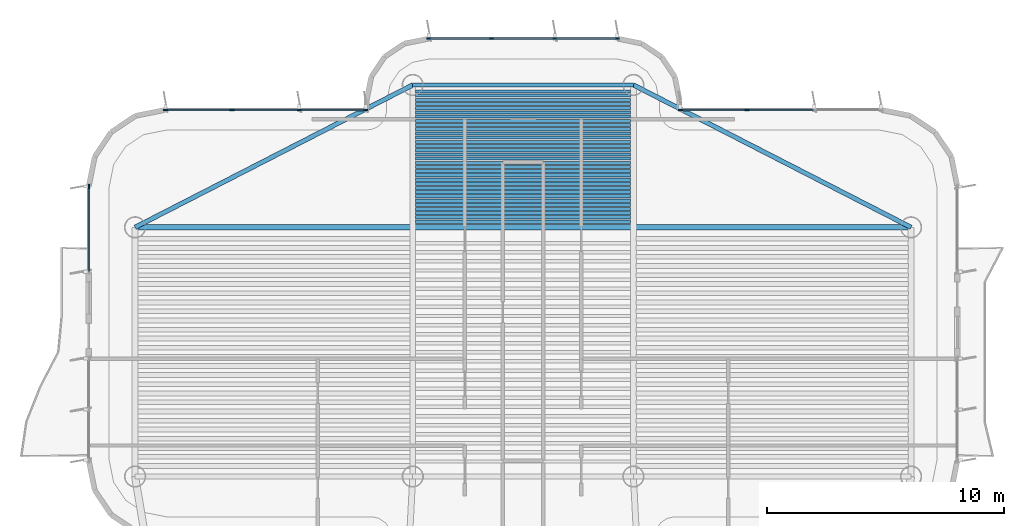
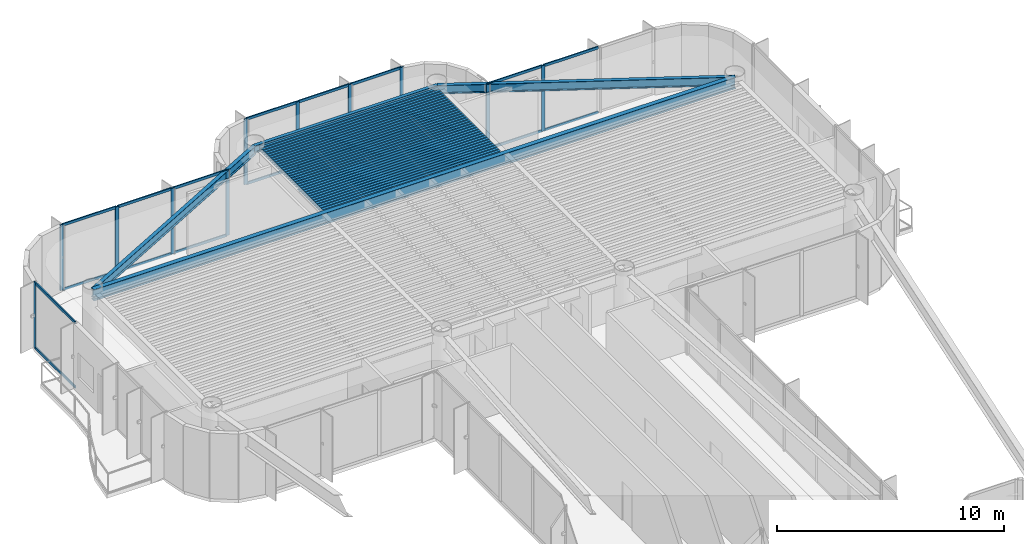
# One storey, part 7 of 15: 36 beams, 29 members, 4 elements without a shape of their own.
"""IFC4 building model written with IfcOpenShell, lengths in metres."""

from ifc_helpers import new_model, si_unit, direction, frame, origin, origin_2d, place, context, subcontext, project, spatial, rectangle, i_section, extrude, source, transform, mapped, material, layer, layer_set, material_profile, profile_set, type_object, element, aggregate, save


model = new_model("IFC4")

# Units and contexts
model_context = context("Model", 3, precision=1e-05, world=origin(), true_north=direction((0.0, 1.0)))
body_context = subcontext(model_context, "Body", "Model", "MODEL_VIEW")
ifc_project = project(units=[si_unit("LENGTHUNIT", "METRE"), si_unit("AREAUNIT", "SQUARE_METRE"), si_unit("VOLUMEUNIT", "CUBIC_METRE"), si_unit("PLANEANGLEUNIT", "RADIAN"), si_unit("MASSUNIT", "GRAM", prefix="KILO")], contexts=[model_context])

# Site, building, storey
site_placement = place(None, origin())
site = spatial("IfcSite", under=ifc_project, at=site_placement, CompositionType="ELEMENT")
building_placement = place(site_placement, origin())
building = spatial("IfcBuilding", under=site, at=building_placement, Name="Brelvock Crest Care Tower", CompositionType="ELEMENT")
storey_placement = place(building_placement, frame((0.0, 0.0, 245.699951171875)))
storey = spatial("IfcBuildingStorey", under=building, at=storey_placement, Name="L62", CompositionType="ELEMENT", Elevation=245.699951171875)

# Beams
ifc_material_1 = material(Name="Steel Grade 350", Category="steel")
ifc_material_profile_1 = material_profile(ifc_material_1, i_section(OverallWidth=0.177978515625, OverallDepth=0.406005859375, WebThickness=0.0078125, FlangeThickness=0.0126953125, FilletRadius=0.011474609375, at=origin_2d()), Name="410UB59.7")
ifc_profile_set_1 = profile_set([ifc_material_profile_1], Name="Steel Grade 350")
beam_type_1 = type_object("IfcBeamType", Name="BM-SP1", PredefinedType="SPANDREL", material=ifc_profile_set_1)
shared_shape_1 = source(origin(), body_context, "Body", "SweptSolid", [
    extrude(i_section(OverallWidth=0.177978515625, OverallDepth=0.406005859375, WebThickness=0.0078125, FlangeThickness=0.0126953125, FilletRadius=0.011474609375, at=origin_2d()), origin(), (0.0, 0.0, 1.0), 9.2998046875),
])
beam_1_placement = place(storey_placement, frame((31.35009765625, 60.449951171875, 3.3271484375), z_axis=(1.0, 0.0, 0.0), x_axis=(0.0, 1.0, 0.0)))
element("IfcBeam", 1, at=beam_1_placement, inside=storey, type_object=beam_type_1, Name="BM-TWR-L62-08", PredefinedType="SPANDREL", context=body_context, shape_type="MappedRepresentation", body=[
    mapped(shared_shape_1, transform((0.0, 0.0, 0.0), x_axis=(1.0, 0.0, 0.0), y_axis=(0.0, 1.0, 0.0), z_axis=(0.0, 0.0, 1.0), scale=1.0)),
])
ifc_material_profile_2 = material_profile(ifc_material_1, i_section(OverallWidth=0.14599609375, OverallDepth=0.256103515625, WebThickness=0.00634765625, FlangeThickness=0.010986328125, FilletRadius=0.0087890625, at=origin_2d()), Name="250UB37.3")
ifc_profile_set_2 = profile_set([ifc_material_profile_2], Name="Steel Grade 350")
beam_type_2 = type_object("IfcBeamType", Name="BM-J3", PredefinedType="JOIST", material=ifc_profile_set_2)
shared_shape_2 = source(origin(), body_context, "Body", "SweptSolid", [
    extrude(i_section(OverallWidth=0.14599609375, OverallDepth=0.256103515625, WebThickness=0.00634765625, FlangeThickness=0.010986328125, FilletRadius=0.0087890625, at=origin_2d()), origin(), (0.0, 0.0, 1.0), 9.06982421875),
])
for number, where, z_axis, x_axis, name in (
    (2, (31.465087890625, 54.68994140625, 3.402099609375), (1.0, 0.0, 0.0), (0.0, 1.0, 0.0), "BM-JN-L62-1"),
    (3, (31.465087890625, 54.866943359375, 3.402099609375), (1.0, 0.0, 0.0), (0.0, 1.0, 0.0), "BM-JN-L62-2"),
    (4, (31.465087890625, 55.0439453125, 3.402099609375), (1.0, 0.0, 0.0), (0.0, 1.0, 0.0), "BM-JN-L62-3"),
    (5, (31.465087890625, 55.220947265625, 3.402099609375), (1.0, 0.0, 0.0), (0.0, 1.0, 0.0), "BM-JN-L62-4"),
    (6, (31.465087890625, 55.39794921875, 3.402099609375), (1.0, 0.0, 0.0), (0.0, 1.0, 0.0), "BM-JN-L62-5"),
    (7, (31.465087890625, 55.574951171875, 3.402099609375), (1.0, 0.0, 0.0), (0.0, 1.0, 0.0), "BM-JN-L62-6"),
    (8, (31.465087890625, 55.751953125, 3.402099609375), (1.0, 0.0, 0.0), (0.0, 1.0, 0.0), "BM-JN-L62-7"),
    (9, (31.465087890625, 55.928955078125, 3.402099609375), (1.0, 0.0, 0.0), (0.0, 1.0, 0.0), "BM-JN-L62-8"),
    (10, (31.465087890625, 56.10595703125, 3.402099609375), (1.0, 0.0, 0.0), (0.0, 1.0, 0.0), "BM-JN-L62-9"),
    (11, (31.465087890625, 56.282958984375, 3.402099609375), (1.0, 0.0, 0.0), (0.0, 1.0, 0.0), "BM-JN-L62-10"),
    (12, (31.465087890625, 56.4599609375, 3.402099609375), (1.0, 0.0, 0.0), (0.0, 1.0, 0.0), "BM-JN-L62-11"),
    (13, (31.465087890625, 56.636962890625, 3.402099609375), (1.0, 0.0, 0.0), (0.0, 1.0, 0.0), "BM-JN-L62-12"),
    (14, (31.465087890625, 56.81396484375, 3.402099609375), (1.0, 0.0, 0.0), (0.0, 1.0, 0.0), "BM-JN-L62-13"),
):
    element("IfcBeam", number, at=place(storey_placement, frame(where, z_axis=z_axis, x_axis=x_axis)), inside=storey, type_object=beam_type_2, Name=name, PredefinedType="JOIST", context=body_context, shape_type="MappedRepresentation", body=[
        mapped(shared_shape_2, transform((0.0, 0.0, 0.0), x_axis=(1.0, 0.0, 0.0), y_axis=(0.0, 1.0, 0.0), z_axis=(0.0, 0.0, 1.0), scale=1.0)),
    ])
ifc_material_profile_3 = material_profile(ifc_material_1, i_section(OverallWidth=0.134033203125, OverallDepth=0.20703125, WebThickness=0.00634765625, FlangeThickness=0.009521484375, FilletRadius=0.0087890625, at=origin_2d()), Name="200UB29.8")
ifc_profile_set_3 = profile_set([ifc_material_profile_3], Name="Steel Grade 350")
beam_type_3 = type_object("IfcBeamType", Name="BM-J4", PredefinedType="JOIST", material=ifc_profile_set_3)
shared_shape_3 = source(origin(), body_context, "Body", "SweptSolid", [
    extrude(i_section(OverallWidth=0.134033203125, OverallDepth=0.20703125, WebThickness=0.00634765625, FlangeThickness=0.009521484375, FilletRadius=0.0087890625, at=origin_2d()), origin(), (0.0, 0.0, 1.0), 9.06982421875),
])
for number, where, z_axis, x_axis, name in (
    (15, (31.465087890625, 56.990966796875, 3.426513671875), (1.0, 0.0, 0.0), (0.0, 1.0, 0.0), "BM-JN-L62-14"),
    (16, (31.465087890625, 57.16796875, 3.426513671875), (1.0, 0.0, 0.0), (0.0, 1.0, 0.0), "BM-JN-L62-15"),
    (17, (31.465087890625, 57.344970703125, 3.426513671875), (1.0, 0.0, 0.0), (0.0, 1.0, 0.0), "BM-JN-L62-16"),
    (18, (31.465087890625, 57.52197265625, 3.426513671875), (1.0, 0.0, 0.0), (0.0, 1.0, 0.0), "BM-JN-L62-17"),
    (19, (31.465087890625, 57.698974609375, 3.426513671875), (1.0, 0.0, 0.0), (0.0, 1.0, 0.0), "BM-JN-L62-18"),
    (20, (31.465087890625, 57.8759765625, 3.426513671875), (1.0, 0.0, 0.0), (0.0, 1.0, 0.0), "BM-JN-L62-19"),
    (21, (31.465087890625, 58.052978515625, 3.426513671875), (1.0, 0.0, 0.0), (0.0, 1.0, 0.0), "BM-JN-L62-20"),
    (22, (31.465087890625, 58.22998046875, 3.426513671875), (1.0, 0.0, 0.0), (0.0, 1.0, 0.0), "BM-JN-L62-21"),
    (23, (31.465087890625, 58.406982421875, 3.426513671875), (1.0, 0.0, 0.0), (0.0, 1.0, 0.0), "BM-JN-L62-22"),
    (24, (31.465087890625, 58.583984375, 3.426513671875), (1.0, 0.0, 0.0), (0.0, 1.0, 0.0), "BM-JN-L62-23"),
    (25, (31.465087890625, 58.760986328125, 3.426513671875), (1.0, 0.0, 0.0), (0.0, 1.0, 0.0), "BM-JN-L62-24"),
    (26, (31.465087890625, 58.93798828125, 3.426513671875), (1.0, 0.0, 0.0), (0.0, 1.0, 0.0), "BM-JN-L62-25"),
    (27, (31.465087890625, 59.114990234375, 3.426513671875), (1.0, 0.0, 0.0), (0.0, 1.0, 0.0), "BM-JN-L62-26"),
    (28, (31.465087890625, 59.2919921875, 3.426513671875), (1.0, 0.0, 0.0), (0.0, 1.0, 0.0), "BM-JN-L62-27"),
    (29, (31.465087890625, 59.468994140625, 3.426513671875), (1.0, 0.0, 0.0), (0.0, 1.0, 0.0), "BM-JN-L62-28"),
    (30, (31.465087890625, 59.64599609375, 3.426513671875), (1.0, 0.0, 0.0), (0.0, 1.0, 0.0), "BM-JN-L62-29"),
    (31, (31.465087890625, 59.822998046875, 3.426513671875), (1.0, 0.0, 0.0), (0.0, 1.0, 0.0), "BM-JN-L62-30"),
    (32, (31.465087890625, 60.0, 3.426513671875), (1.0, 0.0, 0.0), (0.0, 1.0, 0.0), "BM-JN-L62-31"),
    (33, (31.465087890625, 60.177001953125, 3.426513671875), (1.0, 0.0, 0.0), (0.0, 1.0, 0.0), "BM-JN-L62-32"),
):
    element("IfcBeam", number, at=place(storey_placement, frame(where, z_axis=z_axis, x_axis=x_axis)), inside=storey, type_object=beam_type_3, Name=name, PredefinedType="JOIST", context=body_context, shape_type="MappedRepresentation", body=[
        mapped(shared_shape_3, transform((0.0, 0.0, 0.0), x_axis=(1.0, 0.0, 0.0), y_axis=(0.0, 1.0, 0.0), z_axis=(0.0, 0.0, 1.0), scale=1.0)),
    ])
ifc_material_profile_4 = material_profile(ifc_material_1, i_section(OverallWidth=0.19091796875, OverallDepth=0.4599609375, WebThickness=0.010009765625, FlangeThickness=0.01611328125, FilletRadius=0.011474609375, at=origin_2d()), Name="460UB82.1")
ifc_profile_set_4 = profile_set([ifc_material_profile_4], Name="Steel Grade 350")
beam_type_4 = type_object("IfcBeamType", Name="BM-SP2", PredefinedType="SPANDREL", material=ifc_profile_set_4)
shared_shape_4 = source(origin(), body_context, "Body", "SweptSolid", [
    extrude(i_section(OverallWidth=0.19091796875, OverallDepth=0.4599609375, WebThickness=0.010009765625, FlangeThickness=0.01611328125, FilletRadius=0.011474609375, at=origin_2d()), origin(), (0.0, 0.0, 1.0), 13.14892578125),
])
for number, where, z_axis, x_axis, name in (
    (34, (19.64990234375, 54.449951171875, 3.300048828125), (0.889820555736, 0.456310616346, 0.0), (-0.456310616346, 0.889820555736, 0.0), "BM-TWR-L62-06"),
    (35, (40.64990234375, 60.449951171875, 3.300048828125), (0.889820555736, -0.456310616346, 0.0), (0.456310616346, 0.889820555736, 0.0), "BM-TWR-L62-07"),
):
    element("IfcBeam", number, at=place(storey_placement, frame(where, z_axis=z_axis, x_axis=x_axis)), inside=storey, type_object=beam_type_4, Name=name, PredefinedType="SPANDREL", context=body_context, shape_type="MappedRepresentation", body=[
        mapped(shared_shape_4, transform((0.0, 0.0, 0.0), x_axis=(1.0, 0.0, 0.0), y_axis=(0.0, 1.0, 0.0), z_axis=(0.0, 0.0, 1.0), scale=1.0)),
    ])
ifc_material_profile_5 = material_profile(ifc_material_1, i_section(OverallWidth=0.22900390625, OverallDepth=0.612060546875, WebThickness=0.011962890625, FlangeThickness=0.01953125, FilletRadius=0.013916015625, at=origin_2d()), Name="610UB125")
ifc_profile_set_5 = profile_set([ifc_material_profile_5], Name="Steel Grade 350")
beam_type_5 = type_object("IfcBeamType", Name="BM-G1", PredefinedType="BEAM", material=ifc_profile_set_5)
shared_shape_5 = source(origin(), body_context, "Body", "SweptSolid", [
    extrude(i_section(OverallWidth=0.22900390625, OverallDepth=0.612060546875, WebThickness=0.011962890625, FlangeThickness=0.01953125, FilletRadius=0.013916015625, at=origin_2d()), origin(), (0.0, 0.0, 1.0), 32.7001953125),
])
beam_2_placement = place(storey_placement, frame((19.64990234375, 54.449951171875, 3.22412109375), z_axis=(1.0, 0.0, 0.0), x_axis=(0.0, 1.0, 0.0)))
element("IfcBeam", 36, at=beam_2_placement, inside=storey, type_object=beam_type_5, Name="BM-TWR-L62-11", PredefinedType="BEAM", context=body_context, shape_type="MappedRepresentation", body=[
    mapped(shared_shape_5, transform((0.0, 0.0, 0.0), x_axis=(1.0, 0.0, 0.0), y_axis=(0.0, 1.0, 0.0), z_axis=(0.0, 0.0, 1.0), scale=1.0)),
])

# Curtain wall, member
ifc_material_2 = material(Name="Dark Glass Double Glazed Low-E", Category="glass")
ifc_layer = layer(ifc_material_2, 0.239990234375, Name="CWS-5")
ifc_layer_set = layer_set([ifc_layer], Name="Dark Glass Double Glazed Low-E")
curtain_wall_type = type_object("IfcCurtainWallType", Name="CWS-5", PredefinedType="NOTDEFINED", material=ifc_layer_set)
curtain_wall_1_placement = place(storey_placement, origin())
curtain_wall_1 = element("IfcCurtainWall", 37, at=curtain_wall_1_placement, inside=storey, type_object=curtain_wall_type, Name="L62 Curtain Wall E17B", PredefinedType="NOTDEFINED")
ifc_material_3 = material(Name="Aluminium 6063-T6", Category="aluminium")
ifc_material_profile_6 = material_profile(ifc_material_3, rectangle(XDim=0.06005859375, YDim=0.179931640625, at=origin_2d()), Name="ALU60x180")
ifc_profile_set_6 = profile_set([ifc_material_profile_6], Name="Aluminium 6063-T6")
member_type_1 = type_object("IfcMemberType", Name="CWM-2", PredefinedType="MULLION", material=ifc_profile_set_6)
shared_shape_6 = source(origin(), body_context, "Body", "SweptSolid", [
    extrude(rectangle(XDim=0.06005859375, YDim=0.179931640625, at=origin_2d()), origin(), (0.0, 0.0, 1.0), 3.530029296875),
])
member_1_placement = place(storey_placement, frame((17.699951171875, 56.169921875, 0.0), z_axis=(0.0, 0.0, 1.0), x_axis=(-1.0, 0.0, 0.0)))
member_1 = element("IfcMember", 38, at=member_1_placement, type_object=member_type_1, Name="CW-5 mullion 2", PredefinedType="MULLION", context=body_context, shape_type="MappedRepresentation", body=[
    mapped(shared_shape_6, transform((0.0, 0.0, 0.0), x_axis=(1.0, 0.0, 0.0), y_axis=(0.0, 1.0, 0.0), z_axis=(0.0, 0.0, 1.0), scale=1.0)),
])

# Curtain wall, members
curtain_wall_2_placement = place(storey_placement, origin())
curtain_wall_2 = element("IfcCurtainWall", 39, at=curtain_wall_2_placement, inside=storey, type_object=curtain_wall_type, Name="L62 Curtain Wall E22", PredefinedType="NOTDEFINED")
member_2_placement = place(storey_placement, frame((20.929931640625, 59.39990234375, 0.0), z_axis=(0.0, 0.0, 1.0), x_axis=(0.0, 1.0, 0.0)))
member_2 = element("IfcMember", 40, at=member_2_placement, type_object=member_type_1, Name="CW-5 mullion 1", PredefinedType="MULLION", context=body_context, shape_type="MappedRepresentation", body=[
    mapped(shared_shape_6, transform((0.0, 0.0, 0.0), x_axis=(1.0, 0.0, 0.0), y_axis=(0.0, 1.0, 0.0), z_axis=(0.0, 0.0, 1.0), scale=1.0)),
])
member_3_placement = place(storey_placement, frame((23.7333984375, 59.39990234375, 0.0), z_axis=(0.0, 0.0, 1.0), x_axis=(0.0, 1.0, 0.0)))
member_3 = element("IfcMember", 41, at=member_3_placement, type_object=member_type_1, Name="CW-5 mullion 2", PredefinedType="MULLION", context=body_context, shape_type="MappedRepresentation", body=[
    mapped(shared_shape_6, transform((0.0, 0.0, 0.0), x_axis=(1.0, 0.0, 0.0), y_axis=(0.0, 1.0, 0.0), z_axis=(0.0, 0.0, 1.0), scale=1.0)),
])
member_4_placement = place(storey_placement, frame((26.566650390625, 59.39990234375, 0.0), z_axis=(0.0, 0.0, 1.0), x_axis=(0.0, 1.0, 0.0)))
member_4 = element("IfcMember", 42, at=member_4_placement, type_object=member_type_1, Name="CW-5 mullion 3", PredefinedType="MULLION", context=body_context, shape_type="MappedRepresentation", body=[
    mapped(shared_shape_6, transform((0.0, 0.0, 0.0), x_axis=(1.0, 0.0, 0.0), y_axis=(0.0, 1.0, 0.0), z_axis=(0.0, 0.0, 1.0), scale=1.0)),
])
member_5_placement = place(storey_placement, frame((29.3701171875, 59.39990234375, 0.0), z_axis=(0.0, 0.0, 1.0), x_axis=(0.0, 1.0, 0.0)))
member_5 = element("IfcMember", 43, at=member_5_placement, type_object=member_type_1, Name="CW-5 mullion 4", PredefinedType="MULLION", context=body_context, shape_type="MappedRepresentation", body=[
    mapped(shared_shape_6, transform((0.0, 0.0, 0.0), x_axis=(1.0, 0.0, 0.0), y_axis=(0.0, 1.0, 0.0), z_axis=(0.0, 0.0, 1.0), scale=1.0)),
])

curtain_wall_3_placement = place(storey_placement, origin())
curtain_wall_3 = element("IfcCurtainWall", 44, at=curtain_wall_3_placement, inside=storey, type_object=curtain_wall_type, Name="L62 Curtain Wall E28", PredefinedType="NOTDEFINED")
member_6_placement = place(storey_placement, frame((32.030029296875, 62.39990234375, 0.0), z_axis=(0.0, 0.0, 1.0), x_axis=(0.0, 1.0, 0.0)))
member_6 = element("IfcMember", 45, at=member_6_placement, type_object=member_type_1, Name="CW-5 mullion 1", PredefinedType="MULLION", context=body_context, shape_type="MappedRepresentation", body=[
    mapped(shared_shape_6, transform((0.0, 0.0, 0.0), x_axis=(1.0, 0.0, 0.0), y_axis=(0.0, 1.0, 0.0), z_axis=(0.0, 0.0, 1.0), scale=1.0)),
])
member_7_placement = place(storey_placement, frame((34.666748046875, 62.39990234375, 0.0), z_axis=(0.0, 0.0, 1.0), x_axis=(0.0, 1.0, 0.0)))
member_7 = element("IfcMember", 46, at=member_7_placement, type_object=member_type_1, Name="CW-5 mullion 2", PredefinedType="MULLION", context=body_context, shape_type="MappedRepresentation", body=[
    mapped(shared_shape_6, transform((0.0, 0.0, 0.0), x_axis=(1.0, 0.0, 0.0), y_axis=(0.0, 1.0, 0.0), z_axis=(0.0, 0.0, 1.0), scale=1.0)),
])
member_8_placement = place(storey_placement, frame((37.333251953125, 62.39990234375, 0.0), z_axis=(0.0, 0.0, 1.0), x_axis=(0.0, 1.0, 0.0)))
member_8 = element("IfcMember", 47, at=member_8_placement, type_object=member_type_1, Name="CW-5 mullion 3", PredefinedType="MULLION", context=body_context, shape_type="MappedRepresentation", body=[
    mapped(shared_shape_6, transform((0.0, 0.0, 0.0), x_axis=(1.0, 0.0, 0.0), y_axis=(0.0, 1.0, 0.0), z_axis=(0.0, 0.0, 1.0), scale=1.0)),
])
member_9_placement = place(storey_placement, frame((39.969970703125, 62.39990234375, 0.0), z_axis=(0.0, 0.0, 1.0), x_axis=(0.0, 1.0, 0.0)))
member_9 = element("IfcMember", 48, at=member_9_placement, type_object=member_type_1, Name="CW-5 mullion 4", PredefinedType="MULLION", context=body_context, shape_type="MappedRepresentation", body=[
    mapped(shared_shape_6, transform((0.0, 0.0, 0.0), x_axis=(1.0, 0.0, 0.0), y_axis=(0.0, 1.0, 0.0), z_axis=(0.0, 0.0, 1.0), scale=1.0)),
])

curtain_wall_4_placement = place(storey_placement, origin())
curtain_wall_4 = element("IfcCurtainWall", 49, at=curtain_wall_4_placement, inside=storey, type_object=curtain_wall_type, Name="L62 Curtain Wall E34", PredefinedType="NOTDEFINED")
member_10_placement = place(storey_placement, frame((42.6298828125, 59.39990234375, 0.0), z_axis=(0.0, 0.0, 1.0), x_axis=(0.0, 1.0, 0.0)))
member_10 = element("IfcMember", 50, at=member_10_placement, type_object=member_type_1, Name="CW-5 mullion 1", PredefinedType="MULLION", context=body_context, shape_type="MappedRepresentation", body=[
    mapped(shared_shape_6, transform((0.0, 0.0, 0.0), x_axis=(1.0, 0.0, 0.0), y_axis=(0.0, 1.0, 0.0), z_axis=(0.0, 0.0, 1.0), scale=1.0)),
])
member_11_placement = place(storey_placement, frame((45.433349609375, 59.39990234375, 0.0), z_axis=(0.0, 0.0, 1.0), x_axis=(0.0, 1.0, 0.0)))
member_11 = element("IfcMember", 51, at=member_11_placement, type_object=member_type_1, Name="CW-5 mullion 2", PredefinedType="MULLION", context=body_context, shape_type="MappedRepresentation", body=[
    mapped(shared_shape_6, transform((0.0, 0.0, 0.0), x_axis=(1.0, 0.0, 0.0), y_axis=(0.0, 1.0, 0.0), z_axis=(0.0, 0.0, 1.0), scale=1.0)),
])

# Member
ifc_material_profile_7 = material_profile(ifc_material_3, rectangle(XDim=0.06005859375, YDim=0.139892578125, at=origin_2d()), Name="ALU60x140")
ifc_profile_set_7 = profile_set([ifc_material_profile_7], Name="Aluminium 6063-T6")
member_type_2 = type_object("IfcMemberType", Name="CWT-2", PredefinedType="USERDEFINED", material=ifc_profile_set_7)
shared_shape_7 = source(origin(), body_context, "Body", "SweptSolid", [
    extrude(rectangle(XDim=0.06005859375, YDim=0.139892578125, at=origin_2d()), origin(), (0.0, 0.0, 1.0), 2.57666015625),
])
member_12_placement = place(storey_placement, frame((32.06005859375, 62.39990234375, 0.030029296875), z_axis=(1.0, 0.0, 0.0), x_axis=(0.0, 1.0, 0.0)))
member_12 = element("IfcMember", 52, at=member_12_placement, type_object=member_type_2, Name="CW-5 transom 1.1", ObjectType="TRANSOM", PredefinedType="USERDEFINED", context=body_context, shape_type="MappedRepresentation", body=[
    mapped(shared_shape_7, transform((0.0, 0.0, 0.0), x_axis=(1.0, 0.0, 0.0), y_axis=(0.0, 1.0, 0.0), z_axis=(0.0, 0.0, 1.0), scale=1.0)),
])

member_13_placement = place(storey_placement, frame((32.06005859375, 62.39990234375, 3.5), z_axis=(1.0, 0.0, 0.0), x_axis=(0.0, 1.0, 0.0)))
member_13 = element("IfcMember", 53, at=member_13_placement, type_object=member_type_2, Name="CW-5 transom 1.2", ObjectType="TRANSOM", PredefinedType="USERDEFINED", context=body_context, shape_type="MappedRepresentation", body=[
    mapped(shared_shape_7, transform((0.0, 0.0, 0.0), x_axis=(1.0, 0.0, 0.0), y_axis=(0.0, 1.0, 0.0), z_axis=(0.0, 0.0, 1.0), scale=1.0)),
])

member_14_placement = place(storey_placement, frame((37.36328125, 62.39990234375, 0.030029296875), z_axis=(1.0, 0.0, 0.0), x_axis=(0.0, 1.0, 0.0)))
member_14 = element("IfcMember", 54, at=member_14_placement, type_object=member_type_2, Name="CW-5 transom 3.1", ObjectType="TRANSOM", PredefinedType="USERDEFINED", context=body_context, shape_type="MappedRepresentation", body=[
    mapped(shared_shape_7, transform((0.0, 0.0, 0.0), x_axis=(1.0, 0.0, 0.0), y_axis=(0.0, 1.0, 0.0), z_axis=(0.0, 0.0, 1.0), scale=1.0)),
])

member_15_placement = place(storey_placement, frame((37.36328125, 62.39990234375, 3.5), z_axis=(1.0, 0.0, 0.0), x_axis=(0.0, 1.0, 0.0)))
member_15 = element("IfcMember", 55, at=member_15_placement, type_object=member_type_2, Name="CW-5 transom 3.2", ObjectType="TRANSOM", PredefinedType="USERDEFINED", context=body_context, shape_type="MappedRepresentation", body=[
    mapped(shared_shape_7, transform((0.0, 0.0, 0.0), x_axis=(1.0, 0.0, 0.0), y_axis=(0.0, 1.0, 0.0), z_axis=(0.0, 0.0, 1.0), scale=1.0)),
])

shared_shape_8 = source(origin(), body_context, "Body", "SweptSolid", [
    extrude(rectangle(XDim=0.06005859375, YDim=0.139892578125, at=origin_2d()), origin(), (0.0, 0.0, 1.0), 2.743408203125),
])
member_16_placement = place(storey_placement, frame((20.9599609375, 59.39990234375, 0.030029296875), z_axis=(1.0, 0.0, 0.0), x_axis=(0.0, 1.0, 0.0)))
member_16 = element("IfcMember", 56, at=member_16_placement, type_object=member_type_2, Name="CW-5 transom 1.1", ObjectType="TRANSOM", PredefinedType="USERDEFINED", context=body_context, shape_type="MappedRepresentation", body=[
    mapped(shared_shape_8, transform((0.0, 0.0, 0.0), x_axis=(1.0, 0.0, 0.0), y_axis=(0.0, 1.0, 0.0), z_axis=(0.0, 0.0, 1.0), scale=1.0)),
])

member_17_placement = place(storey_placement, frame((20.9599609375, 59.39990234375, 3.5), z_axis=(1.0, 0.0, 0.0), x_axis=(0.0, 1.0, 0.0)))
member_17 = element("IfcMember", 57, at=member_17_placement, type_object=member_type_2, Name="CW-5 transom 1.2", ObjectType="TRANSOM", PredefinedType="USERDEFINED", context=body_context, shape_type="MappedRepresentation", body=[
    mapped(shared_shape_8, transform((0.0, 0.0, 0.0), x_axis=(1.0, 0.0, 0.0), y_axis=(0.0, 1.0, 0.0), z_axis=(0.0, 0.0, 1.0), scale=1.0)),
])

member_18_placement = place(storey_placement, frame((26.5966796875, 59.39990234375, 0.030029296875), z_axis=(1.0, 0.0, 0.0), x_axis=(0.0, 1.0, 0.0)))
member_18 = element("IfcMember", 58, at=member_18_placement, type_object=member_type_2, Name="CW-5 transom 3.1", ObjectType="TRANSOM", PredefinedType="USERDEFINED", context=body_context, shape_type="MappedRepresentation", body=[
    mapped(shared_shape_8, transform((0.0, 0.0, 0.0), x_axis=(1.0, 0.0, 0.0), y_axis=(0.0, 1.0, 0.0), z_axis=(0.0, 0.0, 1.0), scale=1.0)),
])

member_19_placement = place(storey_placement, frame((26.5966796875, 59.39990234375, 3.5), z_axis=(1.0, 0.0, 0.0), x_axis=(0.0, 1.0, 0.0)))
member_19 = element("IfcMember", 59, at=member_19_placement, type_object=member_type_2, Name="CW-5 transom 3.2", ObjectType="TRANSOM", PredefinedType="USERDEFINED", context=body_context, shape_type="MappedRepresentation", body=[
    mapped(shared_shape_8, transform((0.0, 0.0, 0.0), x_axis=(1.0, 0.0, 0.0), y_axis=(0.0, 1.0, 0.0), z_axis=(0.0, 0.0, 1.0), scale=1.0)),
])

member_20_placement = place(storey_placement, frame((42.659912109375, 59.39990234375, 0.030029296875), z_axis=(1.0, 0.0, 0.0), x_axis=(0.0, 1.0, 0.0)))
member_20 = element("IfcMember", 60, at=member_20_placement, type_object=member_type_2, Name="CW-5 transom 1.1", ObjectType="TRANSOM", PredefinedType="USERDEFINED", context=body_context, shape_type="MappedRepresentation", body=[
    mapped(shared_shape_8, transform((0.0, 0.0, 0.0), x_axis=(1.0, 0.0, 0.0), y_axis=(0.0, 1.0, 0.0), z_axis=(0.0, 0.0, 1.0), scale=1.0)),
])

member_21_placement = place(storey_placement, frame((42.659912109375, 59.39990234375, 3.5), z_axis=(1.0, 0.0, 0.0), x_axis=(0.0, 1.0, 0.0)))
member_21 = element("IfcMember", 61, at=member_21_placement, type_object=member_type_2, Name="CW-5 transom 1.2", ObjectType="TRANSOM", PredefinedType="USERDEFINED", context=body_context, shape_type="MappedRepresentation", body=[
    mapped(shared_shape_8, transform((0.0, 0.0, 0.0), x_axis=(1.0, 0.0, 0.0), y_axis=(0.0, 1.0, 0.0), z_axis=(0.0, 0.0, 1.0), scale=1.0)),
])

shared_shape_9 = source(origin(), body_context, "Body", "SweptSolid", [
    extrude(rectangle(XDim=0.06005859375, YDim=0.139892578125, at=origin_2d()), origin(), (0.0, 0.0, 1.0), 2.773193359375),
])
member_22_placement = place(storey_placement, frame((23.763427734375, 59.39990234375, 0.030029296875), z_axis=(1.0, 0.0, 0.0), x_axis=(0.0, 1.0, 0.0)))
member_22 = element("IfcMember", 62, at=member_22_placement, type_object=member_type_2, Name="CW-5 transom 2.1", ObjectType="TRANSOM", PredefinedType="USERDEFINED", context=body_context, shape_type="MappedRepresentation", body=[
    mapped(shared_shape_9, transform((0.0, 0.0, 0.0), x_axis=(1.0, 0.0, 0.0), y_axis=(0.0, 1.0, 0.0), z_axis=(0.0, 0.0, 1.0), scale=1.0)),
])

member_23_placement = place(storey_placement, frame((23.763427734375, 59.39990234375, 3.5), z_axis=(1.0, 0.0, 0.0), x_axis=(0.0, 1.0, 0.0)))
member_23 = element("IfcMember", 63, at=member_23_placement, type_object=member_type_2, Name="CW-5 transom 2.2", ObjectType="TRANSOM", PredefinedType="USERDEFINED", context=body_context, shape_type="MappedRepresentation", body=[
    mapped(shared_shape_9, transform((0.0, 0.0, 0.0), x_axis=(1.0, 0.0, 0.0), y_axis=(0.0, 1.0, 0.0), z_axis=(0.0, 0.0, 1.0), scale=1.0)),
])

aggregate(curtain_wall_2, [member_2, member_3, member_4, member_5, member_16, member_17, member_22, member_23, member_18, member_19])

member_24_placement = place(storey_placement, frame((45.46337890625, 59.39990234375, 0.030029296875), z_axis=(1.0, 0.0, 0.0), x_axis=(0.0, 1.0, 0.0)))
member_24 = element("IfcMember", 64, at=member_24_placement, type_object=member_type_2, Name="CW-5 transom 2.1", ObjectType="TRANSOM", PredefinedType="USERDEFINED", context=body_context, shape_type="MappedRepresentation", body=[
    mapped(shared_shape_9, transform((0.0, 0.0, 0.0), x_axis=(1.0, 0.0, 0.0), y_axis=(0.0, 1.0, 0.0), z_axis=(0.0, 0.0, 1.0), scale=1.0)),
])

member_25_placement = place(storey_placement, frame((45.46337890625, 59.39990234375, 3.5), z_axis=(1.0, 0.0, 0.0), x_axis=(0.0, 1.0, 0.0)))
member_25 = element("IfcMember", 65, at=member_25_placement, type_object=member_type_2, Name="CW-5 transom 2.2", ObjectType="TRANSOM", PredefinedType="USERDEFINED", context=body_context, shape_type="MappedRepresentation", body=[
    mapped(shared_shape_9, transform((0.0, 0.0, 0.0), x_axis=(1.0, 0.0, 0.0), y_axis=(0.0, 1.0, 0.0), z_axis=(0.0, 0.0, 1.0), scale=1.0)),
])

aggregate(curtain_wall_4, [member_10, member_11, member_20, member_21, member_24, member_25])

shared_shape_10 = source(origin(), body_context, "Body", "SweptSolid", [
    extrude(rectangle(XDim=0.06005859375, YDim=0.139892578125, at=origin_2d()), origin(), (0.0, 0.0, 1.0), 2.6064453125),
])
member_26_placement = place(storey_placement, frame((34.69677734375, 62.39990234375, 0.030029296875), z_axis=(1.0, 0.0, 0.0), x_axis=(0.0, 1.0, 0.0)))
member_26 = element("IfcMember", 66, at=member_26_placement, type_object=member_type_2, Name="CW-5 transom 2.1", ObjectType="TRANSOM", PredefinedType="USERDEFINED", context=body_context, shape_type="MappedRepresentation", body=[
    mapped(shared_shape_10, transform((0.0, 0.0, 0.0), x_axis=(1.0, 0.0, 0.0), y_axis=(0.0, 1.0, 0.0), z_axis=(0.0, 0.0, 1.0), scale=1.0)),
])

member_27_placement = place(storey_placement, frame((34.69677734375, 62.39990234375, 3.5), z_axis=(1.0, 0.0, 0.0), x_axis=(0.0, 1.0, 0.0)))
member_27 = element("IfcMember", 67, at=member_27_placement, type_object=member_type_2, Name="CW-5 transom 2.2", ObjectType="TRANSOM", PredefinedType="USERDEFINED", context=body_context, shape_type="MappedRepresentation", body=[
    mapped(shared_shape_10, transform((0.0, 0.0, 0.0), x_axis=(1.0, 0.0, 0.0), y_axis=(0.0, 1.0, 0.0), z_axis=(0.0, 0.0, 1.0), scale=1.0)),
])

aggregate(curtain_wall_3, [member_6, member_7, member_8, member_9, member_12, member_13, member_26, member_27, member_14, member_15])

shared_shape_11 = source(origin(), body_context, "Body", "SweptSolid", [
    extrude(rectangle(XDim=0.06005859375, YDim=0.139892578125, at=origin_2d()), origin(), (0.0, 0.0, 1.0), 3.52978515625),
])
member_28_placement = place(storey_placement, frame((17.699951171875, 52.610107421875, 0.030029296875), z_axis=(0.0, 1.0, 0.0), x_axis=(-1.0, 0.0, 0.0)))
member_28 = element("IfcMember", 68, at=member_28_placement, type_object=member_type_2, Name="CW-5 transom 1.1", ObjectType="TRANSOM", PredefinedType="USERDEFINED", context=body_context, shape_type="MappedRepresentation", body=[
    mapped(shared_shape_11, transform((0.0, 0.0, 0.0), x_axis=(1.0, 0.0, 0.0), y_axis=(0.0, 1.0, 0.0), z_axis=(0.0, 0.0, 1.0), scale=1.0)),
])

member_29_placement = place(storey_placement, frame((17.699951171875, 52.610107421875, 3.5), z_axis=(0.0, 1.0, 0.0), x_axis=(-1.0, 0.0, 0.0)))
member_29 = element("IfcMember", 69, at=member_29_placement, type_object=member_type_2, Name="CW-5 transom 1.2", ObjectType="TRANSOM", PredefinedType="USERDEFINED", context=body_context, shape_type="MappedRepresentation", body=[
    mapped(shared_shape_11, transform((0.0, 0.0, 0.0), x_axis=(1.0, 0.0, 0.0), y_axis=(0.0, 1.0, 0.0), z_axis=(0.0, 0.0, 1.0), scale=1.0)),
])

aggregate(curtain_wall_1, [member_1, member_28, member_29])

save(model, "model.ifc")
